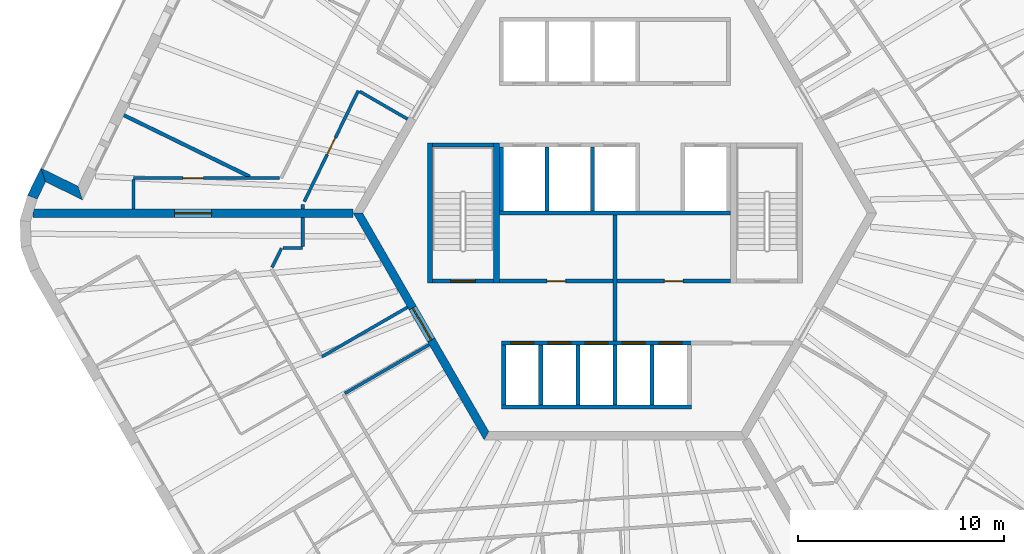
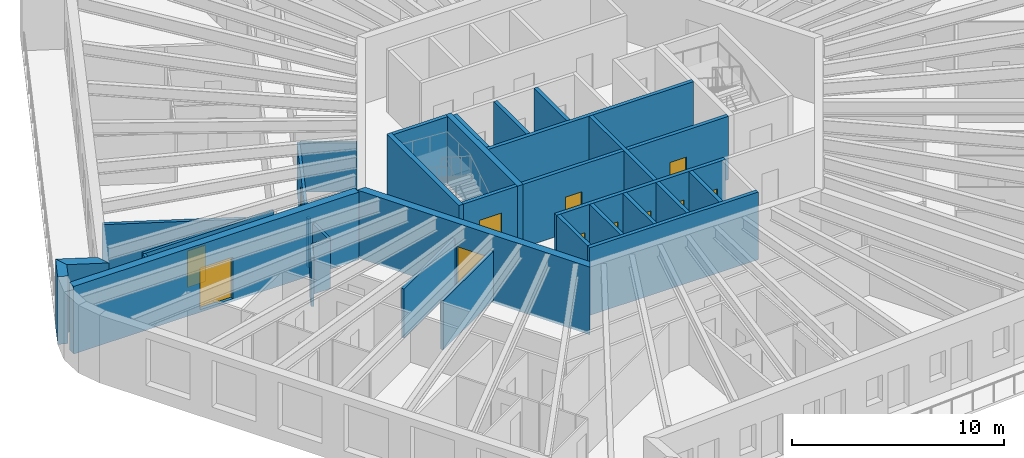
# One storey, part 5 of 12: 33 walls, 12 doors, 12 openings.
"""IFC4 building model written with IfcOpenShell, lengths in metres."""

from ifc_helpers import new_model, si_unit, direction, frame, frame_2d, origin, place, context, subcontext, project, spatial, polyline, rectangle, outline, extrude, material, layer, layer_set, type_object, element, fill, save


model = new_model("IFC4")

# Units and contexts
model_context = context("Model", 3, precision=1e-05, world=origin(), true_north=direction((0.0, 1.0)))
body_context = subcontext(model_context, "Body", "Model", "MODEL_VIEW")
ifc_project = project(units=[si_unit("LENGTHUNIT", "METRE"), si_unit("AREAUNIT", "SQUARE_METRE"), si_unit("VOLUMEUNIT", "CUBIC_METRE"), si_unit("PLANEANGLEUNIT", "RADIAN"), si_unit("MASSUNIT", "GRAM", prefix="KILO")], contexts=[model_context])

# Site, building, storey
site_placement = place(None, origin())
site = spatial("IfcSite", under=ifc_project, at=site_placement, CompositionType="ELEMENT")
building_placement = place(site_placement, origin())
building = spatial("IfcBuilding", under=site, at=building_placement, Name="Tarnside Tower", CompositionType="ELEMENT")
storey_placement = place(building_placement, frame((0.0, 0.0, 264.0)))
storey = spatial("IfcBuildingStorey", under=building, at=storey_placement, Name="L63", CompositionType="ELEMENT", Elevation=264.0)

# Wall, opening, door
ifc_material_1 = material(Name="Concrete C40/50", Category="concrete")
ifc_layer_1 = layer(ifc_material_1, 0.199951171875)
ifc_layer_set_1 = layer_set([ifc_layer_1], Name="Core room partition 200 C40/50")
wall_type_1 = type_object("IfcWallType", Name="Core room partition 200 C40/50", PredefinedType="PARTITIONING", material=ifc_layer_set_1)
wall_1_placement = place(storey_placement, frame((-5.60009765625, -3.300048828125, 0.0), z_axis=(0.0, 0.0, 1.0), x_axis=(1.0, 0.0, 0.0)))
wall_1 = element("IfcWall", 1, at=wall_1_placement, inside=storey, type_object=wall_type_1, Name="L63 core partition W3", PredefinedType="PARTITIONING", context=body_context, shape_type="SweptSolid", body=[
    extrude(rectangle(XDim=5.5, YDim=0.199951171875, at=frame_2d((2.75, 0.0))), origin(), (0.0, 0.0, 1.0), 3.64990234375),
])
opening_1_placement = place(wall_1_placement, frame((2.300048828125, 0.0, 0.0)))
opening_1 = element("IfcOpeningElement", 2, at=opening_1_placement, cuts=wall_1, Name="Opening CD-room", PredefinedType="OPENING", context=body_context, shape_type="SweptSolid", body=[
    extrude(rectangle(XDim=0.89990234375, YDim=2.10009765625, at=frame_2d((0.449951171875, 1.050048828125))), frame((0.0, 0.10986328125, 0.0), z_axis=(0.0, -1.0, 0.0), x_axis=(1.0, 0.0, 0.0)), (0.0, 0.0, 1.0), 0.219970703125),
])
ifc_material_2 = material(Name="Steel fire door", Category="steel")
door_type_1 = type_object("IfcDoorType", Name="Room door FD60 900x2100", OperationType="NOTDEFINED", PredefinedType="DOOR", material=ifc_material_2)
door_1_placement = place(opening_1_placement, origin())
door_1 = element("IfcDoor", 3, at=door_1_placement, inside=storey, type_object=door_type_1, Name="L63 core room door W3D", OperationType="SINGLE_SWING_LEFT", OverallHeight=2.10009765625, OverallWidth=0.89990234375, PredefinedType="DOOR", context=body_context, shape_type="SweptSolid", body=[
    extrude(rectangle(XDim=0.89990234375, YDim=2.10009765625, at=frame_2d((0.449951171875, 1.050048828125))), frame((0.0, 0.02490234375, 0.0), z_axis=(0.0, -1.0, 0.0), x_axis=(1.0, 0.0, 0.0)), (0.0, 0.0, 1.0), 0.050048828125),
])
fill(opening_1, door_1)

wall_2_placement = place(storey_placement, frame((0.10009765625, -3.300048828125, 0.0), z_axis=(0.0, 0.0, 1.0), x_axis=(1.0, 0.0, 0.0)))
wall_2 = element("IfcWall", 4, at=wall_2_placement, inside=storey, type_object=wall_type_1, Name="L63 core partition R3S1", PredefinedType="PARTITIONING", context=body_context, shape_type="SweptSolid", body=[
    extrude(rectangle(XDim=5.5, YDim=0.199951171875, at=frame_2d((2.75, 0.0))), origin(), (0.0, 0.0, 1.0), 3.64990234375),
])
opening_2_placement = place(wall_2_placement, frame((2.300048828125, 0.0, 0.0)))
opening_2 = element("IfcOpeningElement", 5, at=opening_2_placement, cuts=wall_2, Name="Opening CD-room", PredefinedType="OPENING", context=body_context, shape_type="SweptSolid", body=[
    extrude(rectangle(XDim=0.89990234375, YDim=2.10009765625, at=frame_2d((0.449951171875, 1.050048828125))), frame((0.0, 0.10986328125, 0.0), z_axis=(0.0, -1.0, 0.0), x_axis=(1.0, 0.0, 0.0)), (0.0, 0.0, 1.0), 0.219970703125),
])
door_2_placement = place(opening_2_placement, origin())
door_2 = element("IfcDoor", 6, at=door_2_placement, inside=storey, type_object=door_type_1, Name="L63 core room door SR1", OperationType="SINGLE_SWING_LEFT", OverallHeight=2.10009765625, OverallWidth=0.89990234375, PredefinedType="DOOR", context=body_context, shape_type="SweptSolid", body=[
    extrude(rectangle(XDim=0.89990234375, YDim=2.10009765625, at=frame_2d((0.449951171875, 1.050048828125))), frame((0.0, 0.02490234375, 0.0), z_axis=(0.0, -1.0, 0.0), x_axis=(1.0, 0.0, 0.0)), (0.0, 0.0, 1.0), 0.050048828125),
])
fill(opening_2, door_2)

# Wall
wall_3_placement = place(storey_placement, frame((0.0, -6.199951171875, 0.0), z_axis=(0.0, 0.0, 1.0), x_axis=(0.0, 1.0, 0.0)))
element("IfcWall", 7, at=wall_3_placement, inside=storey, type_object=wall_type_1, Name="L63 core partition X0", PredefinedType="PARTITIONING", context=body_context, shape_type="SweptSolid", body=[
    extrude(rectangle(XDim=6.099853515625, YDim=0.199951171875, at=frame_2d((3.0498046875, 0.0))), origin(), (0.0, 0.0, 1.0), 3.64990234375),
])

# Wall, opening, door
ifc_material_3 = material(Name="Concrete C60/75", Category="concrete")
ifc_layer_2 = layer(ifc_material_3, 0.39990234375)
ifc_layer_set_2 = layer_set([ifc_layer_2], Name="Core wall Z3 400 C60/75")
wall_type_2 = type_object("IfcWallType", Name="Core wall Z3 400 C60/75", PredefinedType="SHEAR", material=ifc_layer_set_2)
wall_4_placement = place(storey_placement, frame((-12.470703125, 0.0, -0.14990234375), z_axis=(0.0, 0.0, 1.0), x_axis=(0.499996419489, -0.866027470984, 0.0)))
wall_4 = element("IfcWall", 8, at=wall_4_placement, inside=storey, type_object=wall_type_2, Name="L63 core wall face 3", PredefinedType="SHEAR", context=body_context, shape_type="SweptSolid", body=[
    extrude(outline(polyline([(-0.115478515625, -0.199951171875), (12.586181640625, -0.199951171875), (12.355224609375, 0.199951171875), (0.115478515625, 0.199951171875), (-0.115478515625, -0.199951171875)])), origin(), (0.0, 0.0, 1.0), 3.89990234375),
])
opening_3_placement = place(wall_4_placement, frame((5.306396484375, 0.0, 0.14990234375)))
opening_3 = element("IfcOpeningElement", 9, at=opening_3_placement, cuts=wall_4, Name="Opening CD-FFL", PredefinedType="OPENING", context=body_context, shape_type="SweptSolid", body=[
    extrude(rectangle(XDim=1.800048828125, YDim=2.39990234375, at=frame_2d((0.89990234375, 1.199951171875))), frame((0.0, 0.2099609375, 0.0), z_axis=(0.0, -1.0, 0.0), x_axis=(1.0, 0.0, 0.0)), (0.0, 0.0, 1.0), 0.419921875),
])
door_type_2 = type_object("IfcDoorType", Name="Firefighting lobby double door FD60S 1800x2400", OperationType="NOTDEFINED", PredefinedType="DOOR", material=ifc_material_2)
door_3_placement = place(opening_3_placement, origin())
door_3 = element("IfcDoor", 10, at=door_3_placement, inside=storey, type_object=door_type_2, Name="L63 core door P3", OperationType="DOUBLE_DOOR_SINGLE_SWING", OverallHeight=2.39990234375, OverallWidth=1.800048828125, PredefinedType="DOOR", context=body_context, shape_type="SweptSolid", body=[
    extrude(rectangle(XDim=1.800048828125, YDim=2.39990234375, at=frame_2d((0.89990234375, 1.199951171875))), frame((0.0, 0.02490234375, 0.0), z_axis=(0.0, -1.0, 0.0), x_axis=(1.0, 0.0, 0.0)), (0.0, 0.0, 1.0), 0.050048828125),
])
fill(opening_3, door_3)

wall_5_placement = place(storey_placement, frame((-12.70166015625, 0.0, -0.14990234375), z_axis=(0.0, 0.0, 1.0), x_axis=(-1.0, 0.0, 0.0)))
wall_5 = element("IfcWall", 11, at=wall_5_placement, inside=storey, type_object=wall_type_2, Name="L63 spine wall 2", PredefinedType="SHEAR", context=body_context, shape_type="SweptSolid", body=[
    extrude(rectangle(XDim=15.54443359375, YDim=0.39990234375, at=frame_2d((7.772216796875, 0.0))), origin(), (0.0, 0.0, 1.0), 3.89990234375),
])
opening_4_placement = place(wall_5_placement, frame((6.872314453125, 0.0, 0.14990234375)))
opening_4 = element("IfcOpeningElement", 12, at=opening_4_placement, cuts=wall_5, Name="Opening CD-SPN", PredefinedType="OPENING", context=body_context, shape_type="SweptSolid", body=[
    extrude(rectangle(XDim=1.800048828125, YDim=2.39990234375, at=frame_2d((0.89990234375, 1.199951171875))), frame((0.0, 0.2099609375, 0.0), z_axis=(0.0, -1.0, 0.0), x_axis=(1.0, 0.0, 0.0)), (0.0, 0.0, 1.0), 0.419921875),
])
door_type_3 = type_object("IfcDoorType", Name="Spine passage double door FD60 1800x2400", OperationType="NOTDEFINED", PredefinedType="DOOR", material=ifc_material_2)
door_4_placement = place(opening_4_placement, origin())
door_4 = element("IfcDoor", 13, at=door_4_placement, inside=storey, type_object=door_type_3, Name="L63 spine passage door 2", OperationType="DOUBLE_DOOR_SINGLE_SWING", OverallHeight=2.39990234375, OverallWidth=1.800048828125, PredefinedType="DOOR", context=body_context, shape_type="SweptSolid", body=[
    extrude(rectangle(XDim=1.800048828125, YDim=2.39990234375, at=frame_2d((0.89990234375, 1.199951171875))), frame((0.0, 0.02490234375, 0.0), z_axis=(0.0, -1.0, 0.0), x_axis=(1.0, 0.0, 0.0)), (0.0, 0.0, 1.0), 0.050048828125),
])
fill(opening_4, door_4)

ifc_material_4 = material(Name="Gypsum board partition on steel studs", Category="steel")
ifc_layer_3 = layer(ifc_material_4, 0.14990234375)
ifc_layer_set_3 = layer_set([ifc_layer_3], Name="Corridor wall 150 EI 60")
wall_type_3 = type_object("IfcWallType", Name="Corridor wall 150 EI 60", PredefinedType="PARTITIONING", material=ifc_layer_set_3)
wall_6_placement = place(storey_placement, frame((-16.277099609375, 1.699951171875, 0.0), z_axis=(0.0, 0.0, 1.0), x_axis=(-1.0, 0.0, 0.0)))
wall_6 = element("IfcWall", 14, at=wall_6_placement, inside=storey, type_object=wall_type_3, Name="Corridor wall 20012", PredefinedType="PARTITIONING", context=body_context, shape_type="SweptSolid", body=[
    extrude(rectangle(XDim=7.096923828125, YDim=0.14990234375, at=frame_2d((3.54833984375, 0.0))), origin(), (0.0, 0.0, 1.0), 2.823486328125),
])
opening_5_placement = place(wall_6_placement, frame((3.696044921875, 0.0, 0.0)))
opening_5 = element("IfcOpeningElement", 15, at=opening_5_placement, cuts=wall_6, Name="Opening D-E1", PredefinedType="OPENING", context=body_context, shape_type="SweptSolid", body=[
    extrude(rectangle(XDim=1.0, YDim=2.10009765625, at=frame_2d((0.5, 1.050048828125))), frame((0.0, 0.0849609375, 0.0), z_axis=(0.0, -1.0, 0.0), x_axis=(1.0, 0.0, 0.0)), (0.0, 0.0, 1.0), 0.169921875),
])
ifc_material_5 = material(Name="Timber door leaf", Category="wood")
door_type_4 = type_object("IfcDoorType", Name="Unit entrance door 1000 FD30S", OperationType="NOTDEFINED", PredefinedType="DOOR", material=ifc_material_5)
door_5_placement = place(opening_5_placement, origin())
door_5 = element("IfcDoor", 16, at=door_5_placement, inside=storey, type_object=door_type_4, Name="Unit door 20020", OperationType="SINGLE_SWING_LEFT", OverallHeight=2.10009765625, OverallWidth=1.0, PredefinedType="DOOR", context=body_context, shape_type="SweptSolid", body=[
    extrude(rectangle(XDim=1.0, YDim=2.10009765625, at=frame_2d((0.5, 1.050048828125))), frame((0.0, 0.02490234375, 0.0), z_axis=(0.0, -1.0, 0.0), x_axis=(1.0, 0.0, 0.0)), (0.0, 0.0, 1.0), 0.050048828125),
])
fill(opening_5, door_5)

# Walls
wall_7_placement = place(storey_placement, frame((-23.3740234375, 1.625, 0.0), z_axis=(0.0, 0.0, 1.0), x_axis=(0.0, -1.0, 0.0)))
element("IfcWall", 17, at=wall_7_placement, inside=storey, type_object=wall_type_3, Name="Corridor wall 20016", PredefinedType="PARTITIONING", context=body_context, shape_type="SweptSolid", body=[
    extrude(rectangle(XDim=1.425048828125, YDim=0.14990234375, at=frame_2d((0.71240234375, 0.0))), origin(), (0.0, 0.0, 1.0), 2.823486328125),
])
wall_8_placement = place(storey_placement, frame((-15.15380859375, 0.199951171875, 0.0), z_axis=(0.0, 0.0, 1.0), x_axis=(0.0, 1.0, 0.0)))
element("IfcWall", 18, at=wall_8_placement, inside=storey, type_object=wall_type_3, Name="Corridor wall 20023", PredefinedType="PARTITIONING", context=body_context, shape_type="SweptSolid", body=[
    extrude(rectangle(XDim=0.210205078125, YDim=0.14990234375, at=frame_2d((0.10498046875, 0.0))), origin(), (0.0, 0.0, 1.0), 2.823486328125),
])

# Wall, opening, door
wall_9_placement = place(storey_placement, frame((-15.078857421875, 0.563720703125, 0.0), z_axis=(0.0, 0.0, 1.0), x_axis=(0.438367391904, 0.898795877669, 0.0)))
wall_9 = element("IfcWall", 19, at=wall_9_placement, inside=storey, type_object=wall_type_3, Name="Corridor wall 20024", PredefinedType="PARTITIONING", context=body_context, shape_type="SweptSolid", body=[
    extrude(rectangle(XDim=5.987060546875, YDim=0.14990234375, at=frame_2d((2.99365234375, 0.0))), origin(), (0.0, 0.0, 1.0), 2.823486328125),
])
opening_6_placement = place(wall_9_placement, frame((2.54345703125, 0.0, 0.0)))
opening_6 = element("IfcOpeningElement", 20, at=opening_6_placement, cuts=wall_9, Name="Opening D-S1", PredefinedType="OPENING", context=body_context, shape_type="SweptSolid", body=[
    extrude(rectangle(XDim=0.89990234375, YDim=2.10009765625, at=frame_2d((0.449951171875, 1.050048828125))), frame((0.0, 0.0849609375, 0.0), z_axis=(0.0, -1.0, 0.0), x_axis=(1.0, 0.0, 0.0)), (0.0, 0.0, 1.0), 0.169921875),
])
door_type_5 = type_object("IfcDoorType", Name="Service room door 900 FD30S", OperationType="NOTDEFINED", PredefinedType="DOOR", material=ifc_material_5)
door_6_placement = place(opening_6_placement, origin())
door_6 = element("IfcDoor", 21, at=door_6_placement, inside=storey, type_object=door_type_5, Name="Service door 20072", OperationType="SINGLE_SWING_LEFT", OverallHeight=2.10009765625, OverallWidth=0.89990234375, PredefinedType="DOOR", context=body_context, shape_type="SweptSolid", body=[
    extrude(rectangle(XDim=0.89990234375, YDim=2.10009765625, at=frame_2d((0.449951171875, 1.050048828125))), frame((0.0, 0.02490234375, 0.0), z_axis=(0.0, -1.0, 0.0), x_axis=(1.0, 0.0, 0.0)), (0.0, 0.0, 1.0), 0.050048828125),
])
fill(opening_6, door_6)

# Walls
wall_10_placement = place(storey_placement, frame((-12.389404296875, 5.9072265625, 0.0), z_axis=(0.0, 0.0, 1.0), x_axis=(0.866034066097, -0.499984996134, 0.0)))
element("IfcWall", 22, at=wall_10_placement, inside=storey, type_object=wall_type_3, Name="Corridor wall 20025", PredefinedType="PARTITIONING", context=body_context, shape_type="SweptSolid", body=[
    extrude(rectangle(XDim=2.68310546875, YDim=0.14990234375, at=frame_2d((1.341552734375, 0.0))), origin(), (0.0, 0.0, 1.0), 2.823486328125),
])
wall_11_placement = place(storey_placement, frame((-10.065673828125, -4.565673828125, 0.0), z_axis=(0.0, 0.0, 1.0), x_axis=(-0.866037363387, -0.499979284789, 0.0)))
element("IfcWall", 23, at=wall_11_placement, inside=storey, type_object=wall_type_3, Name="Corridor wall 20043", PredefinedType="PARTITIONING", context=body_context, shape_type="SweptSolid", body=[
    extrude(rectangle(XDim=4.800048828125, YDim=0.14990234375, at=frame_2d((2.39990234375, 0.0))), origin(), (0.0, 0.0, 1.0), 2.823486328125),
])
wall_12_placement = place(storey_placement, frame((-16.637939453125, -2.63232421875, 0.0), z_axis=(0.0, 0.0, 1.0), x_axis=(0.438437541994, 0.898761660158, 0.0)))
element("IfcWall", 24, at=wall_12_placement, inside=storey, type_object=wall_type_3, Name="Corridor wall 20045", PredefinedType="PARTITIONING", context=body_context, shape_type="SweptSolid", body=[
    extrude(rectangle(XDim=1.037353515625, YDim=0.14990234375, at=frame_2d((0.5185546875, 0.0))), origin(), (0.0, 0.0, 1.0), 2.823486328125),
])
wall_13_placement = place(storey_placement, frame((-16.099609375, -1.699951171875, 0.0), z_axis=(0.0, 0.0, 1.0), x_axis=(1.0, 0.0, 0.0)))
element("IfcWall", 25, at=wall_13_placement, inside=storey, type_object=wall_type_3, Name="Corridor wall 20046", PredefinedType="PARTITIONING", context=body_context, shape_type="SweptSolid", body=[
    extrude(rectangle(XDim=0.94580078125, YDim=0.14990234375, at=frame_2d((0.472900390625, 0.0))), origin(), (0.0, 0.0, 1.0), 2.823486328125),
])
wall_14_placement = place(storey_placement, frame((-15.15380859375, -1.625, 0.0), z_axis=(0.0, 0.0, 1.0), x_axis=(0.0, 1.0, 0.0)))
element("IfcWall", 26, at=wall_14_placement, inside=storey, type_object=wall_type_3, Name="Corridor wall 20047", PredefinedType="PARTITIONING", context=body_context, shape_type="SweptSolid", body=[
    extrude(rectangle(XDim=1.425048828125, YDim=0.14990234375, at=frame_2d((0.71240234375, 0.0))), origin(), (0.0, 0.0, 1.0), 2.823486328125),
])
wall_15_placement = place(storey_placement, frame((-13.107666015625, -8.746826171875, 0.0), z_axis=(0.0, 0.0, 1.0), x_axis=(0.866024684746, 0.500001245408, 0.0)))
element("IfcWall", 27, at=wall_15_placement, inside=storey, type_object=wall_type_3, Name="Corridor wall 20051", PredefinedType="PARTITIONING", context=body_context, shape_type="SweptSolid", body=[
    extrude(rectangle(XDim=4.72509765625, YDim=0.14990234375, at=frame_2d((2.362548828125, 0.0))), origin(), (0.0, 0.0, 1.0), 2.823486328125),
])
ifc_layer_4 = layer(ifc_material_4, 0.179931640625)
ifc_layer_set_4 = layer_set([ifc_layer_4], Name="Demising wall 180 EI 60")
wall_type_4 = type_object("IfcWallType", Name="Demising wall 180 EI 60", PredefinedType="PARTITIONING", material=ifc_layer_set_4)
wall_16_placement = place(storey_placement, frame((-23.82861328125, 4.75146484375, 0.0), z_axis=(0.0, 0.0, 1.0), x_axis=(0.898785032636, -0.438389627056, 0.0)))
element("IfcWall", 28, at=wall_16_placement, inside=storey, type_object=wall_type_4, Name="Demising wall 20101", PredefinedType="PARTITIONING", context=body_context, shape_type="SweptSolid", body=[
    extrude(rectangle(XDim=6.789794921875, YDim=0.179931640625, at=frame_2d((3.39501953125, 0.0))), origin(), (0.0, 0.0, 1.0), 2.823486328125),
])
ifc_layer_5 = layer(ifc_material_1, 0.199951171875)
ifc_layer_set_5 = layer_set([ifc_layer_5], Name="Lift shaft wall 200 C40/50")
wall_type_5 = type_object("IfcWallType", Name="Lift shaft wall 200 C40/50", PredefinedType="SHEAR", material=ifc_layer_set_5)
wall_17_placement = place(storey_placement, frame((-5.60009765625, 0.0, -0.25), z_axis=(0.0, 0.0, 1.0), x_axis=(1.0, 0.0, 0.0)))
element("IfcWall", 29, at=wall_17_placement, inside=storey, type_object=wall_type_5, Name="L63 lift shaft back wall R2", PredefinedType="SHEAR", context=body_context, shape_type="SweptSolid", body=[
    extrude(rectangle(XDim=11.2001953125, YDim=0.199951171875, at=frame_2d((5.60009765625, 0.0))), origin(), (0.0, 0.0, 1.0), 3.89990234375),
])
for number, where, z_axis, x_axis, name in (
    (30, (-5.5, 0.10009765625, -0.25), (0.0, 0.0, 1.0), (0.0, 1.0, 0.0), "L63 lift shaft partition R21"),
    (31, (-3.300048828125, 0.10009765625, -0.25), (0.0, 0.0, 1.0), (0.0, 1.0, 0.0), "L63 lift shaft partition R22"),
    (32, (-1.10009765625, 0.10009765625, -0.25), (0.0, 0.0, 1.0), (0.0, 1.0, 0.0), "L63 lift shaft partition R23"),
):
    element("IfcWall", number, at=place(storey_placement, frame(where, z_axis=z_axis, x_axis=x_axis)), inside=storey, type_object=wall_type_5, Name=name, PredefinedType="SHEAR", context=body_context, shape_type="SweptSolid", body=[
        extrude(rectangle(XDim=3.099853515625, YDim=0.199951171875, at=frame_2d((1.5498046875, 0.0))), origin(), (0.0, 0.0, 1.0), 3.89990234375),
    ])

# Wall, openings, doors
wall_18_placement = place(storey_placement, frame((-5.5, -6.300048828125, -0.25), z_axis=(0.0, 0.0, 1.0), x_axis=(1.0, 0.0, 0.0)))
wall_18 = element("IfcWall", 33, at=wall_18_placement, inside=storey, type_object=wall_type_5, Name="L63 lift shaft front wall R4", PredefinedType="SHEAR", context=body_context, shape_type="SweptSolid", body=[
    extrude(rectangle(XDim=9.199951171875, YDim=0.199951171875, at=frame_2d((4.60009765625, 0.0))), origin(), (0.0, 0.0, 1.0), 3.89990234375),
])
opening_7_placement = place(wall_18_placement, frame((0.449951171875, 0.0, 0.25)))
opening_7 = element("IfcOpeningElement", 34, at=opening_7_placement, cuts=wall_18, Name="Opening LDF", PredefinedType="OPENING", context=body_context, shape_type="SweptSolid", body=[
    extrude(rectangle(XDim=1.10009765625, YDim=2.10009765625, at=frame_2d((0.550048828125, 1.050048828125))), frame((0.0, 0.10986328125, 0.0), z_axis=(0.0, -1.0, 0.0), x_axis=(1.0, 0.0, 0.0)), (0.0, 0.0, 1.0), 0.219970703125),
])
opening_8_placement = place(wall_18_placement, frame((2.25, 0.0, 0.25)))
opening_8 = element("IfcOpeningElement", 35, at=opening_8_placement, cuts=wall_18, Name="Opening LDF", PredefinedType="OPENING", context=body_context, shape_type="SweptSolid", body=[
    extrude(rectangle(XDim=1.10009765625, YDim=2.10009765625, at=frame_2d((0.550048828125, 1.050048828125))), frame((0.0, 0.10986328125, 0.0), z_axis=(0.0, -1.0, 0.0), x_axis=(1.0, 0.0, 0.0)), (0.0, 0.0, 1.0), 0.219970703125),
])
opening_9_placement = place(wall_18_placement, frame((4.050048828125, 0.0, 0.25)))
opening_9 = element("IfcOpeningElement", 36, at=opening_9_placement, cuts=wall_18, Name="Opening LDF", PredefinedType="OPENING", context=body_context, shape_type="SweptSolid", body=[
    extrude(rectangle(XDim=1.10009765625, YDim=2.10009765625, at=frame_2d((0.550048828125, 1.050048828125))), frame((0.0, 0.10986328125, 0.0), z_axis=(0.0, -1.0, 0.0), x_axis=(1.0, 0.0, 0.0)), (0.0, 0.0, 1.0), 0.219970703125),
])
opening_10_placement = place(wall_18_placement, frame((5.85009765625, 0.0, 0.25)))
opening_10 = element("IfcOpeningElement", 37, at=opening_10_placement, cuts=wall_18, Name="Opening LDF", PredefinedType="OPENING", context=body_context, shape_type="SweptSolid", body=[
    extrude(rectangle(XDim=1.10009765625, YDim=2.10009765625, at=frame_2d((0.550048828125, 1.050048828125))), frame((0.0, 0.10986328125, 0.0), z_axis=(0.0, -1.0, 0.0), x_axis=(1.0, 0.0, 0.0)), (0.0, 0.0, 1.0), 0.219970703125),
])
opening_11_placement = place(wall_18_placement, frame((7.64990234375, 0.0, 0.25)))
opening_11 = element("IfcOpeningElement", 38, at=opening_11_placement, cuts=wall_18, Name="Opening LDF", PredefinedType="OPENING", context=body_context, shape_type="SweptSolid", body=[
    extrude(rectangle(XDim=1.10009765625, YDim=2.10009765625, at=frame_2d((0.550048828125, 1.050048828125))), frame((0.0, 0.10986328125, 0.0), z_axis=(0.0, -1.0, 0.0), x_axis=(1.0, 0.0, 0.0)), (0.0, 0.0, 1.0), 0.219970703125),
])
ifc_material_6 = material(Name="Stainless steel", Category="steel")
door_type_6 = type_object("IfcDoorType", Name="Lift landing door 1100x2100 EI 120", OperationType="NOTDEFINED", PredefinedType="DOOR", material=ifc_material_6)
door_7_placement = place(opening_7_placement, origin())
door_7 = element("IfcDoor", 39, at=door_7_placement, inside=storey, type_object=door_type_6, Name="Firefighting lift 1 landing door L63", OperationType="SLIDING_TO_LEFT", OverallHeight=2.10009765625, OverallWidth=1.10009765625, PredefinedType="DOOR", context=body_context, shape_type="SweptSolid", body=[
    extrude(rectangle(XDim=1.10009765625, YDim=2.10009765625, at=frame_2d((0.550048828125, 1.050048828125))), frame((0.0, 0.02490234375, 0.0), z_axis=(0.0, -1.0, 0.0), x_axis=(1.0, 0.0, 0.0)), (0.0, 0.0, 1.0), 0.050048828125),
])
fill(opening_7, door_7)
door_8_placement = place(opening_8_placement, origin())
door_8 = element("IfcDoor", 40, at=door_8_placement, inside=storey, type_object=door_type_6, Name="Firefighting lift 2 landing door L63", OperationType="SLIDING_TO_LEFT", OverallHeight=2.10009765625, OverallWidth=1.10009765625, PredefinedType="DOOR", context=body_context, shape_type="SweptSolid", body=[
    extrude(rectangle(XDim=1.10009765625, YDim=2.10009765625, at=frame_2d((0.550048828125, 1.050048828125))), frame((0.0, 0.02490234375, 0.0), z_axis=(0.0, -1.0, 0.0), x_axis=(1.0, 0.0, 0.0)), (0.0, 0.0, 1.0), 0.050048828125),
])
fill(opening_8, door_8)
door_9_placement = place(opening_9_placement, origin())
door_9 = element("IfcDoor", 41, at=door_9_placement, inside=storey, type_object=door_type_6, Name="Firefighting lift 3 landing door L63", OperationType="SLIDING_TO_LEFT", OverallHeight=2.10009765625, OverallWidth=1.10009765625, PredefinedType="DOOR", context=body_context, shape_type="SweptSolid", body=[
    extrude(rectangle(XDim=1.10009765625, YDim=2.10009765625, at=frame_2d((0.550048828125, 1.050048828125))), frame((0.0, 0.02490234375, 0.0), z_axis=(0.0, -1.0, 0.0), x_axis=(1.0, 0.0, 0.0)), (0.0, 0.0, 1.0), 0.050048828125),
])
fill(opening_9, door_9)
door_10_placement = place(opening_10_placement, origin())
door_10 = element("IfcDoor", 42, at=door_10_placement, inside=storey, type_object=door_type_6, Name="Firefighting lift 4 landing door L63", OperationType="SLIDING_TO_LEFT", OverallHeight=2.10009765625, OverallWidth=1.10009765625, PredefinedType="DOOR", context=body_context, shape_type="SweptSolid", body=[
    extrude(rectangle(XDim=1.10009765625, YDim=2.10009765625, at=frame_2d((0.550048828125, 1.050048828125))), frame((0.0, 0.02490234375, 0.0), z_axis=(0.0, -1.0, 0.0), x_axis=(1.0, 0.0, 0.0)), (0.0, 0.0, 1.0), 0.050048828125),
])
fill(opening_10, door_10)
door_11_placement = place(opening_11_placement, origin())
door_11 = element("IfcDoor", 43, at=door_11_placement, inside=storey, type_object=door_type_6, Name="Firefighting lift 5 landing door L63", OperationType="SLIDING_TO_LEFT", OverallHeight=2.10009765625, OverallWidth=1.10009765625, PredefinedType="DOOR", context=body_context, shape_type="SweptSolid", body=[
    extrude(rectangle(XDim=1.10009765625, YDim=2.10009765625, at=frame_2d((0.550048828125, 1.050048828125))), frame((0.0, 0.02490234375, 0.0), z_axis=(0.0, -1.0, 0.0), x_axis=(1.0, 0.0, 0.0)), (0.0, 0.0, 1.0), 0.050048828125),
])
fill(opening_11, door_11)

# Walls
wall_19_placement = place(storey_placement, frame((-5.5, -9.39990234375, -0.25), z_axis=(0.0, 0.0, 1.0), x_axis=(1.0, 0.0, 0.0)))
element("IfcWall", 44, at=wall_19_placement, inside=storey, type_object=wall_type_5, Name="L63 lift shaft back wall R4", PredefinedType="SHEAR", context=body_context, shape_type="SweptSolid", body=[
    extrude(rectangle(XDim=9.199951171875, YDim=0.199951171875, at=frame_2d((4.60009765625, 0.0))), origin(), (0.0, 0.0, 1.0), 3.89990234375),
])
for number, where, z_axis, x_axis, name in (
    (45, (-5.39990234375, -9.300048828125, -0.25), (0.0, 0.0, 1.0), (0.0, 1.0, 0.0), "L63 lift shaft partition R41"),
    (46, (-3.60009765625, -9.300048828125, -0.25), (0.0, 0.0, 1.0), (0.0, 1.0, 0.0), "L63 lift shaft partition R42"),
    (47, (-1.800048828125, -9.300048828125, -0.25), (0.0, 0.0, 1.0), (0.0, 1.0, 0.0), "L63 lift shaft partition R43"),
    (48, (0.0, -9.300048828125, -0.25), (0.0, 0.0, 1.0), (0.0, 1.0, 0.0), "L63 lift shaft partition R44"),
    (49, (1.800048828125, -9.300048828125, -0.25), (0.0, 0.0, 1.0), (0.0, 1.0, 0.0), "L63 lift shaft partition R45"),
):
    element("IfcWall", number, at=place(storey_placement, frame(where, z_axis=z_axis, x_axis=x_axis)), inside=storey, type_object=wall_type_5, Name=name, PredefinedType="SHEAR", context=body_context, shape_type="SweptSolid", body=[
        extrude(rectangle(XDim=2.900146484375, YDim=0.199951171875, at=frame_2d((1.4501953125, 0.0))), origin(), (0.0, 0.0, 1.0), 3.89990234375),
    ])
wall_20_placement = place(storey_placement, frame((-8.85009765625, 3.300048828125, -0.25), z_axis=(0.0, 0.0, 1.0), x_axis=(1.0, 0.0, 0.0)))
element("IfcWall", 50, at=wall_20_placement, inside=storey, type_object=wall_type_5, Name="L63 stair 2 enclosure cap wall n", PredefinedType="SHEAR", context=body_context, shape_type="SweptSolid", body=[
    extrude(rectangle(XDim=2.9501953125, YDim=0.199951171875, at=frame_2d((1.47509765625, 0.0))), origin(), (0.0, 0.0, 1.0), 3.89990234375),
])

# Wall, opening, door
wall_21_placement = place(storey_placement, frame((-8.85009765625, -3.300048828125, -0.25), z_axis=(0.0, 0.0, 1.0), x_axis=(1.0, 0.0, 0.0)))
wall_21 = element("IfcWall", 51, at=wall_21_placement, inside=storey, type_object=wall_type_5, Name="L63 stair 2 enclosure cap wall s", PredefinedType="SHEAR", context=body_context, shape_type="SweptSolid", body=[
    extrude(rectangle(XDim=2.9501953125, YDim=0.199951171875, at=frame_2d((1.47509765625, 0.0))), origin(), (0.0, 0.0, 1.0), 3.89990234375),
])
opening_12_placement = place(wall_21_placement, frame((0.875, 0.0, 0.25)))
opening_12 = element("IfcOpeningElement", 52, at=opening_12_placement, cuts=wall_21, Name="Opening CD-STR", PredefinedType="OPENING", context=body_context, shape_type="SweptSolid", body=[
    extrude(rectangle(XDim=1.199951171875, YDim=2.39990234375, at=frame_2d((0.60009765625, 1.199951171875))), frame((0.0, 0.10986328125, 0.0), z_axis=(0.0, -1.0, 0.0), x_axis=(1.0, 0.0, 0.0)), (0.0, 0.0, 1.0), 0.219970703125),
])
door_type_7 = type_object("IfcDoorType", Name="Stair door FD60S 1200x2400", OperationType="NOTDEFINED", PredefinedType="DOOR", material=ifc_material_2)
door_12_placement = place(opening_12_placement, origin())
door_12 = element("IfcDoor", 53, at=door_12_placement, inside=storey, type_object=door_type_7, Name="L63 stair 2 door", OperationType="SINGLE_SWING_LEFT", OverallHeight=2.39990234375, OverallWidth=1.199951171875, PredefinedType="DOOR", context=body_context, shape_type="SweptSolid", body=[
    extrude(rectangle(XDim=1.199951171875, YDim=2.39990234375, at=frame_2d((0.60009765625, 1.199951171875))), frame((0.0, 0.02490234375, 0.0), z_axis=(0.0, -1.0, 0.0), x_axis=(1.0, 0.0, 0.0)), (0.0, 0.0, 1.0), 0.050048828125),
])
fill(opening_12, door_12)

# Walls
ifc_material_7 = material(Name="Dark zinc cladding")
ifc_layer_6 = layer(ifc_material_7, 0.10205078125)
ifc_material_8 = material(Name="Concrete C60/75 precast", Category="concrete")
ifc_layer_7 = layer(ifc_material_8, 0.298095703125)
ifc_material_9 = material(Name="Mineral wool insulation")
ifc_layer_8 = layer(ifc_material_9, 0.10009765625)
ifc_layer_set_6 = layer_set([ifc_layer_6, ifc_layer_7, ifc_layer_8], Name="Loggia wall 500 zinc faced")
wall_type_6 = type_object("IfcWallType", Name="Loggia wall 500 zinc faced", PredefinedType="SOLIDWALL", material=ifc_layer_set_6)
wall_22_placement = place(storey_placement, frame((-25.9482421875, 0.97607421875, -0.14990234375), z_axis=(0.0, 0.0, 1.0), x_axis=(-0.898802465371, 0.438353884714, 0.0)))
element("IfcWall", 54, at=wall_22_placement, inside=storey, type_object=wall_type_6, Name="Tube wall L63 F2 return 07", PredefinedType="SOLIDWALL", context=body_context, shape_type="SweptSolid", body=[
    extrude(outline(polyline([(0.25, -0.25), (2.25, -0.25), (1.75, 0.25), (-0.25, 0.25), (0.25, -0.25)])), origin(), (0.0, 0.0, 1.0), 3.89990234375),
])
wall_23_placement = place(storey_placement, frame((-27.745849609375, 1.852783203125, -0.14990234375), z_axis=(0.0, 0.0, 1.0), x_axis=(-0.438319390103, -0.898819287877, 0.0)))
element("IfcWall", 55, at=wall_23_placement, inside=storey, type_object=wall_type_6, Name="Tube wall L63 F2 stub 08", PredefinedType="SOLIDWALL", context=body_context, shape_type="SweptSolid", body=[
    extrude(outline(polyline([(-0.25, -0.25), (1.22021484375, -0.25), (1.17919921875, 0.25), (0.25, 0.25), (-0.25, -0.25)])), origin(), (0.0, 0.0, 1.0), 3.89990234375),
])
ifc_layer_9 = layer(ifc_material_1, 0.25)
ifc_layer_set_7 = layer_set([ifc_layer_9], Name="Stair enclosure wall 250 C40/50")
wall_type_7 = type_object("IfcWallType", Name="Stair enclosure wall 250 C40/50", PredefinedType="SHEAR", material=ifc_layer_set_7)
wall_24_placement = place(storey_placement, frame((-8.97509765625, -3.39990234375, -0.25), z_axis=(0.0, 0.0, 1.0), x_axis=(0.0, 1.0, 0.0)))
element("IfcWall", 56, at=wall_24_placement, inside=storey, type_object=wall_type_7, Name="L63 stair 2 enclosure wall outer", PredefinedType="SHEAR", context=body_context, shape_type="SweptSolid", body=[
    extrude(rectangle(XDim=6.7998046875, YDim=0.25, at=frame_2d((3.39990234375, 0.0))), origin(), (0.0, 0.0, 1.0), 3.89990234375),
])
ifc_layer_10 = layer(ifc_material_1, 0.300048828125)
ifc_layer_set_8 = layer_set([ifc_layer_10], Name="Stair enclosure wall 300 C40/50")
wall_type_8 = type_object("IfcWallType", Name="Stair enclosure wall 300 C40/50", PredefinedType="SHEAR", material=ifc_layer_set_8)
wall_25_placement = place(storey_placement, frame((-5.75, -3.39990234375, -0.25), z_axis=(0.0, 0.0, 1.0), x_axis=(0.0, 1.0, 0.0)))
element("IfcWall", 57, at=wall_25_placement, inside=storey, type_object=wall_type_8, Name="L63 stair 2 enclosure wall inner", PredefinedType="SHEAR", context=body_context, shape_type="SweptSolid", body=[
    extrude(rectangle(XDim=6.7998046875, YDim=0.300048828125, at=frame_2d((3.39990234375, 0.0))), origin(), (0.0, 0.0, 1.0), 3.89990234375),
])

save(model, "model.ifc")
